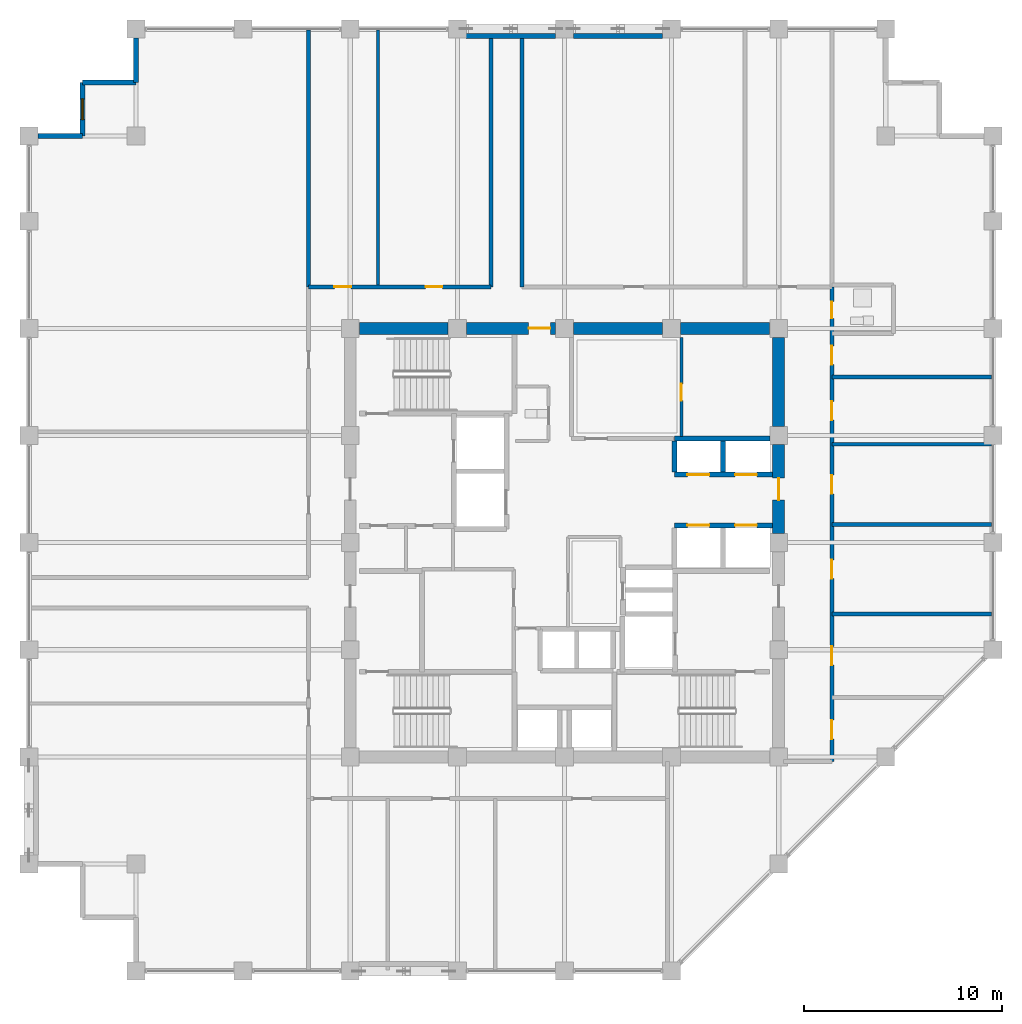
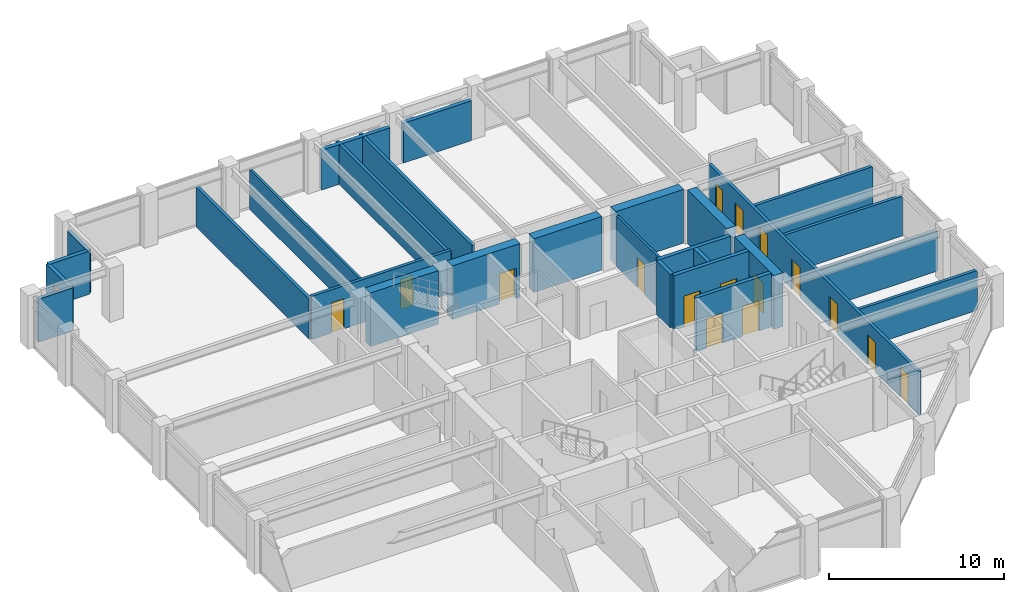
# One storey, part 29 of 32: 28 walls, 16 doors, 1 window, 17 openings.
"""IFC4 building model written with IfcOpenShell, lengths in metres."""

from ifc_helpers import new_model, si_unit, direction, frame, frame_2d, origin, place, context, subcontext, project, spatial, rectangle, extrude, material, layer, layer_set, type_object, element, fill, save


model = new_model("IFC4")

# Units and contexts
model_context = context("Model", 3, precision=1e-05, world=origin(), true_north=direction((0.0, 1.0)))
body_context = subcontext(model_context, "Body", "Model", "MODEL_VIEW")
ifc_project = project(units=[si_unit("LENGTHUNIT", "METRE"), si_unit("AREAUNIT", "SQUARE_METRE"), si_unit("VOLUMEUNIT", "CUBIC_METRE"), si_unit("PLANEANGLEUNIT", "RADIAN"), si_unit("MASSUNIT", "GRAM", prefix="KILO")], contexts=[model_context])

# Site, building, storey
site_placement = place(None, origin())
site = spatial("IfcSite", under=ifc_project, at=site_placement, CompositionType="ELEMENT")
building_placement = place(site_placement, origin())
building = spatial("IfcBuilding", under=site, at=building_placement, Name="Surkhivell Harbour Commons", CompositionType="ELEMENT")
storey_placement = place(building_placement, frame((0.0, 0.0, 208.5)))
storey = spatial("IfcBuildingStorey", under=building, at=storey_placement, Name="L54", CompositionType="ELEMENT", Elevation=208.5)

# Wall
ifc_material_1 = material(Name="Concrete C60/75", Category="concrete")
ifc_layer_1 = layer(ifc_material_1, 0.60009765625)
ifc_layer_set_1 = layer_set([ifc_layer_1], Name="Concrete C60/75")
wall_type_1 = type_object("IfcWallType", Name="WAL-CORE-600", PredefinedType="SHEAR", material=ifc_layer_set_1)
wall_1_placement = place(storey_placement, frame((-10.340087890625, 10.800048828125, 0.0), z_axis=(0.0, 0.0, 1.0), x_axis=(1.0, 0.0, 0.0)))
element("IfcWall", 1, at=wall_1_placement, inside=storey, type_object=wall_type_1, Name="L54 Core Shear Wall North 1", PredefinedType="SHEAR", context=body_context, shape_type="SweptSolid", body=[
    extrude(rectangle(XDim=4.47998046875, YDim=0.60009765625, at=frame_2d((2.239990234375, 0.0))), origin(), (0.0, 0.0, 1.0), 3.75),
])

# Wall, opening, door
wall_2_placement = place(storey_placement, frame((-4.93994140625, 10.800048828125, 0.0), z_axis=(0.0, 0.0, 1.0), x_axis=(1.0, 0.0, 0.0)))
wall_2 = element("IfcWall", 2, at=wall_2_placement, inside=storey, type_object=wall_type_1, Name="L54 Core Shear Wall North 2", PredefinedType="SHEAR", context=body_context, shape_type="SweptSolid", body=[
    extrude(rectangle(XDim=4.47998046875, YDim=0.60009765625, at=frame_2d((2.239990234375, 0.0))), origin(), (0.0, 0.0, 1.0), 3.75),
])
opening_1_placement = place(wall_2_placement, frame((3.1298828125, 0.0, 0.0)))
opening_1 = element("IfcOpeningElement", 3, at=opening_1_placement, cuts=wall_2, Name="Opening ID-2", PredefinedType="OPENING", context=body_context, shape_type="SweptSolid", body=[
    extrude(rectangle(XDim=1.10009765625, YDim=2.10009765625, at=frame_2d((0.550048828125, 1.050048828125))), frame((0.0, 0.31005859375, 0.0), z_axis=(0.0, -1.0, 0.0), x_axis=(1.0, 0.0, 0.0)), (0.0, 0.0, 1.0), 0.6201171875),
])
ifc_material_2 = material(Name="Hardwood-veneered fire-rated door leaf", Category="wood")
door_type_1 = type_object("IfcDoorType", Name="DOR-FD60-1100", OperationType="NOTDEFINED", PredefinedType="DOOR", material=ifc_material_2)
door_1_placement = place(opening_1_placement, origin())
door_1 = element("IfcDoor", 4, at=door_1_placement, inside=storey, type_object=door_type_1, Name="L54 Central Core Lift Hall North Corridor Door", OperationType="SINGLE_SWING_LEFT", OverallHeight=2.10009765625, OverallWidth=1.10009765625, PredefinedType="DOOR", context=body_context, shape_type="SweptSolid", body=[
    extrude(rectangle(XDim=1.10009765625, YDim=2.10009765625, at=frame_2d((0.550048828125, 1.050048828125))), frame((0.0, 0.02490234375, 0.0), z_axis=(0.0, -1.0, 0.0), x_axis=(1.0, 0.0, 0.0)), (0.0, 0.0, 1.0), 0.050048828125),
])
fill(opening_1, door_1)

# Wall
wall_3_placement = place(storey_placement, frame((0.4599609375, 10.800048828125, 0.0), z_axis=(0.0, 0.0, 1.0), x_axis=(1.0, 0.0, 0.0)))
element("IfcWall", 5, at=wall_3_placement, inside=storey, type_object=wall_type_1, Name="L54 Core Shear Wall North 3", PredefinedType="SHEAR", context=body_context, shape_type="SweptSolid", body=[
    extrude(rectangle(XDim=4.47998046875, YDim=0.60009765625, at=frame_2d((2.239990234375, 0.0))), origin(), (0.0, 0.0, 1.0), 3.75),
])

# Wall, opening, door
wall_4_placement = place(storey_placement, frame((10.800048828125, 0.4599609375, 0.0), z_axis=(0.0, 0.0, 1.0), x_axis=(0.0, 1.0, 0.0)))
wall_4 = element("IfcWall", 6, at=wall_4_placement, inside=storey, type_object=wall_type_1, Name="L54 Core Shear Wall East 3", PredefinedType="SHEAR", context=body_context, shape_type="SweptSolid", body=[
    extrude(rectangle(XDim=4.47998046875, YDim=0.60009765625, at=frame_2d((2.239990234375, 0.0))), origin(), (0.0, 0.0, 1.0), 3.75),
])
opening_2_placement = place(wall_4_placement, frame((1.68994140625, 0.0, 0.0)))
opening_2 = element("IfcOpeningElement", 7, at=opening_2_placement, cuts=wall_4, Name="Opening ID-2", PredefinedType="OPENING", context=body_context, shape_type="SweptSolid", body=[
    extrude(rectangle(XDim=1.10009765625, YDim=2.10009765625, at=frame_2d((0.550048828125, 1.050048828125))), frame((0.0, 0.31005859375, 0.0), z_axis=(0.0, -1.0, 0.0), x_axis=(1.0, 0.0, 0.0)), (0.0, 0.0, 1.0), 0.6201171875),
])
door_2_placement = place(opening_2_placement, origin())
door_2 = element("IfcDoor", 8, at=door_2_placement, inside=storey, type_object=door_type_1, Name="L54 Mid-Rise Lobby East Door", OperationType="SINGLE_SWING_LEFT", OverallHeight=2.10009765625, OverallWidth=1.10009765625, PredefinedType="DOOR", context=body_context, shape_type="SweptSolid", body=[
    extrude(rectangle(XDim=1.10009765625, YDim=2.10009765625, at=frame_2d((0.550048828125, 1.050048828125))), frame((0.0, 0.02490234375, 0.0), z_axis=(0.0, -1.0, 0.0), x_axis=(1.0, 0.0, 0.0)), (0.0, 0.0, 1.0), 0.050048828125),
])
fill(opening_2, door_2)

# Walls
for number, where, z_axis, x_axis, name in (
    (9, (5.860107421875, 10.800048828125, 0.0), (0.0, 0.0, 1.0), (1.0, 0.0, 0.0), "L54 Core Shear Wall North 4"),
    (10, (10.800048828125, 5.860107421875, 0.0), (0.0, 0.0, 1.0), (0.0, 1.0, 0.0), "L54 Core Shear Wall East 4"),
):
    element("IfcWall", number, at=place(storey_placement, frame(where, z_axis=z_axis, x_axis=x_axis)), inside=storey, type_object=wall_type_1, Name=name, PredefinedType="SHEAR", context=body_context, shape_type="SweptSolid", body=[
        extrude(rectangle(XDim=4.47998046875, YDim=0.60009765625, at=frame_2d((2.239990234375, 0.0))), origin(), (0.0, 0.0, 1.0), 3.75),
    ])
ifc_material_3 = material(Name="Pale-metal insulated precast concrete C45/55", Category="concrete")
ifc_layer_2 = layer(ifc_material_3, 0.260009765625)
ifc_layer_set_2 = layer_set([ifc_layer_2], Name="Pale-metal insulated precast concrete C45/55")
wall_type_2 = type_object("IfcWallType", Name="WAL-EXT-MTL260", PredefinedType="STANDARD", material=ifc_layer_set_2)
for number, where, z_axis, x_axis, name in (
    (11, (-0.447998046875, 25.5400390625, 0.0), (0.0, 0.0, 1.0), (-1.0, 0.0, 0.0), "L54 Braced-Bay Insulated Spandrel Backing N"),
    (12, (4.951904296875, 25.5400390625, 0.0), (0.0, 0.0, 1.0), (-1.0, 0.0, 0.0), "L54 Braced-Bay Insulated Spandrel Backing N2"),
):
    element("IfcWall", number, at=place(storey_placement, frame(where, z_axis=z_axis, x_axis=x_axis)), inside=storey, type_object=wall_type_2, Name=name, PredefinedType="STANDARD", context=body_context, shape_type="SweptSolid", body=[
        extrude(rectangle(XDim=4.50390625, YDim=0.260009765625, at=frame_2d((2.251953125, 0.0))), origin(), (0.0, 0.0, 1.0), 2.780029296875),
    ])
wall_5_placement = place(storey_placement, frame((-21.60009765625, 25.451904296875, 0.0), z_axis=(0.0, 0.0, 1.0), x_axis=(0.0, -1.0, 0.0)))
element("IfcWall", 13, at=wall_5_placement, inside=storey, type_object=wall_type_2, Name="L54 Serrated Corner Facade Wall 08", PredefinedType="STANDARD", context=body_context, shape_type="SweptSolid", body=[
    extrude(rectangle(XDim=2.251953125, YDim=0.260009765625, at=frame_2d((1.1259765625, 0.0))), origin(), (0.0, 0.0, 1.0), 3.006103515625),
])
wall_6_placement = place(storey_placement, frame((-21.60009765625, 23.199951171875, 0.0), z_axis=(0.0, 0.0, 1.0), x_axis=(-1.0, 0.0, 0.0)))
element("IfcWall", 14, at=wall_6_placement, inside=storey, type_object=wall_type_2, Name="L54 Serrated Corner Facade Wall 09", PredefinedType="STANDARD", context=body_context, shape_type="SweptSolid", body=[
    extrude(rectangle(XDim=2.699951171875, YDim=0.260009765625, at=frame_2d((1.35009765625, 0.0))), origin(), (0.0, 0.0, 1.0), 3.006103515625),
])

# Wall, opening, window
wall_7_placement = place(storey_placement, frame((-24.300048828125, 23.199951171875, 0.0), z_axis=(0.0, 0.0, 1.0), x_axis=(0.0, -1.0, 0.0)))
wall_7 = element("IfcWall", 15, at=wall_7_placement, inside=storey, type_object=wall_type_2, Name="L54 Serrated Corner Facade Wall 10", PredefinedType="STANDARD", context=body_context, shape_type="SweptSolid", body=[
    extrude(rectangle(XDim=2.699951171875, YDim=0.260009765625, at=frame_2d((1.35009765625, 0.0))), origin(), (0.0, 0.0, 1.0), 3.006103515625),
])
opening_3_placement = place(wall_7_placement, frame((0.824951171875, 0.0, 0.64990234375)))
opening_3 = element("IfcOpeningElement", 16, at=opening_3_placement, cuts=wall_7, Name="Opening WN-11", PredefinedType="OPENING", context=body_context, shape_type="SweptSolid", body=[
    extrude(rectangle(XDim=1.050048828125, YDim=1.5, at=frame_2d((0.52490234375, 0.75))), frame((0.0, 0.139892578125, 0.0), z_axis=(0.0, -1.0, 0.0), x_axis=(1.0, 0.0, 0.0)), (0.0, 0.0, 1.0), 0.280029296875),
])
ifc_material_4 = material(Name="Thermal-break aluminium frame and double low-E glazing", Category="aluminium")
window_type = type_object("IfcWindowType", Name="WIN-SER-1050x1500", PartitioningType="SINGLE_PANEL", PredefinedType="WINDOW", material=ifc_material_4)
window_placement = place(opening_3_placement, origin())
window = element("IfcWindow", 17, at=window_placement, inside=storey, type_object=window_type, Name="L54 Serrated Alcove Window 10", OverallHeight=1.5, OverallWidth=1.050048828125, PartitioningType="SINGLE_PANEL", PredefinedType="WINDOW", context=body_context, shape_type="SweptSolid", body=[
    extrude(rectangle(XDim=1.050048828125, YDim=1.5, at=frame_2d((0.52490234375, 0.75))), frame((0.0, 0.030029296875, 0.0), z_axis=(0.0, -1.0, 0.0), x_axis=(1.0, 0.0, 0.0)), (0.0, 0.0, 1.0), 0.06005859375),
])
fill(opening_3, window)

# Wall
wall_8_placement = place(storey_placement, frame((-24.300048828125, 20.5, 0.0), z_axis=(0.0, 0.0, 1.0), x_axis=(-1.0, 0.0, 0.0)))
element("IfcWall", 18, at=wall_8_placement, inside=storey, type_object=wall_type_2, Name="L54 Serrated Corner Facade Wall 11", PredefinedType="STANDARD", context=body_context, shape_type="SweptSolid", body=[
    extrude(rectangle(XDim=2.251953125, YDim=0.260009765625, at=frame_2d((1.1259765625, 0.0))), origin(), (0.0, 0.0, 1.0), 3.006103515625),
])

# Wall, opening, door
ifc_material_5 = material(Name="Twin-stud acoustic fireboard partition", Category="other")
ifc_layer_3 = layer(ifc_material_5, 0.14990234375)
ifc_layer_set_3 = layer_set([ifc_layer_3], Name="Twin-stud acoustic fireboard partition")
wall_type_3 = type_object("IfcWallType", Name="WAL-INT-150", PredefinedType="PARTITIONING", material=ifc_layer_set_3)
wall_9_placement = place(storey_placement, frame((5.89990234375, 5.360107421875, 0.0), z_axis=(0.0, 0.0, 1.0), x_axis=(0.0, 1.0, 0.0)))
wall_9 = element("IfcWall", 19, at=wall_9_placement, inside=storey, type_object=wall_type_3, Name="L54 Study Pod Wall 1", PredefinedType="PARTITIONING", context=body_context, shape_type="SweptSolid", body=[
    extrude(rectangle(XDim=4.97998046875, YDim=0.14990234375, at=frame_2d((2.489990234375, 0.0))), origin(), (0.0, 0.0, 1.0), 3.570068359375),
])
opening_4_placement = place(wall_9_placement, frame((1.800048828125, 0.0, 0.0)))
opening_4 = element("IfcOpeningElement", 20, at=opening_4_placement, cuts=wall_9, Name="Opening ID-6", PredefinedType="OPENING", context=body_context, shape_type="SweptSolid", body=[
    extrude(rectangle(XDim=0.85009765625, YDim=2.10009765625, at=frame_2d((0.425048828125, 1.050048828125))), frame((0.0, 0.0849609375, 0.0), z_axis=(0.0, -1.0, 0.0), x_axis=(1.0, 0.0, 0.0)), (0.0, 0.0, 1.0), 0.169921875),
])
door_type_2 = type_object("IfcDoorType", Name="DOR-FD30-850", OperationType="NOTDEFINED", PredefinedType="DOOR", material=ifc_material_2)
door_3_placement = place(opening_4_placement, origin())
door_3 = element("IfcDoor", 21, at=door_3_placement, inside=storey, type_object=door_type_2, Name="L54 Core Music Door", OperationType="SINGLE_SWING_RIGHT", OverallHeight=2.10009765625, OverallWidth=0.85009765625, PredefinedType="DOOR", context=body_context, shape_type="SweptSolid", body=[
    extrude(rectangle(XDim=0.85009765625, YDim=2.10009765625, at=frame_2d((0.425048828125, 1.050048828125))), frame((0.0, 0.02490234375, 0.0), z_axis=(0.0, -1.0, 0.0), x_axis=(1.0, 0.0, 0.0)), (0.0, 0.0, 1.0), 0.050048828125),
])
fill(opening_4, door_3)

# Walls
wall_10_placement = place(storey_placement, frame((-9.39990234375, 12.89990234375, 0.0), z_axis=(0.0, 0.0, 1.0), x_axis=(0.0, 1.0, 0.0)))
element("IfcWall", 22, at=wall_10_placement, inside=storey, type_object=wall_type_3, Name="L54 North-West Partition P1", PredefinedType="PARTITIONING", context=body_context, shape_type="SweptSolid", body=[
    extrude(rectangle(XDim=12.940185546875, YDim=0.14990234375, at=frame_2d((6.47021484375, 0.0))), origin(), (0.0, 0.0, 1.0), 2.780029296875),
])
ifc_material_6 = material(Name="Autoclaved aerated concrete blockwork and fire plaster", Category="masonry")
ifc_layer_4 = layer(ifc_material_6, 0.199951171875)
ifc_layer_set_4 = layer_set([ifc_layer_4], Name="Autoclaved aerated concrete blockwork and fire plaster")
wall_type_4 = type_object("IfcWallType", Name="WAL-INT-200", PredefinedType="PARTITIONING", material=ifc_layer_set_4)
wall_11_placement = place(storey_placement, frame((-12.89990234375, 12.89990234375, 0.0), z_axis=(0.0, 0.0, 1.0), x_axis=(0.0, 1.0, 0.0)))
element("IfcWall", 23, at=wall_11_placement, inside=storey, type_object=wall_type_4, Name="L54 North-West Corner Wall", PredefinedType="PARTITIONING", context=body_context, shape_type="SweptSolid", body=[
    extrude(rectangle(XDim=12.940185546875, YDim=0.199951171875, at=frame_2d((6.47021484375, 0.0))), origin(), (0.0, 0.0, 1.0), 2.780029296875),
])

# Wall, openings, doors
wall_12_placement = place(storey_placement, frame((13.47998046875, -11.0400390625, 0.0), z_axis=(0.0, 0.0, 1.0), x_axis=(0.0, 1.0, 0.0)))
wall_12 = element("IfcWall", 24, at=wall_12_placement, inside=storey, type_object=wall_type_4, Name="L54 Corridor East Wall", PredefinedType="PARTITIONING", context=body_context, shape_type="SweptSolid", body=[
    extrude(rectangle(XDim=23.93994140625, YDim=0.199951171875, at=frame_2d((11.969970703125, 0.0))), origin(), (0.0, 0.0, 1.0), 3.006103515625),
])
opening_5_placement = place(wall_12_placement, frame((1.139892578125, 0.0, 0.0)))
opening_5 = element("IfcOpeningElement", 25, at=opening_5_placement, cuts=wall_12, Name="Opening ID-4", PredefinedType="OPENING", context=body_context, shape_type="SweptSolid", body=[
    extrude(rectangle(XDim=0.949951171875, YDim=2.10009765625, at=frame_2d((0.47509765625, 1.050048828125))), frame((0.0, 0.10986328125, 0.0), z_axis=(0.0, -1.0, 0.0), x_axis=(1.0, 0.0, 0.0)), (0.0, 0.0, 1.0), 0.219970703125),
])
opening_6_placement = place(wall_12_placement, frame((22.344970703125, 0.0, 0.0)))
opening_6 = element("IfcOpeningElement", 26, at=opening_6_placement, cuts=wall_12, Name="Opening ID-6", PredefinedType="OPENING", context=body_context, shape_type="SweptSolid", body=[
    extrude(rectangle(XDim=0.85009765625, YDim=2.10009765625, at=frame_2d((0.425048828125, 1.050048828125))), frame((0.0, 0.10986328125, 0.0), z_axis=(0.0, -1.0, 0.0), x_axis=(1.0, 0.0, 0.0)), (0.0, 0.0, 1.0), 0.219970703125),
])
opening_7_placement = place(wall_12_placement, frame((20.010009765625, 0.0, 0.0)))
opening_7 = element("IfcOpeningElement", 27, at=opening_7_placement, cuts=wall_12, Name="Opening ID-4", PredefinedType="OPENING", context=body_context, shape_type="SweptSolid", body=[
    extrude(rectangle(XDim=0.949951171875, YDim=2.10009765625, at=frame_2d((0.47509765625, 1.050048828125))), frame((0.0, 0.10986328125, 0.0), z_axis=(0.0, -1.0, 0.0), x_axis=(1.0, 0.0, 0.0)), (0.0, 0.0, 1.0), 0.219970703125),
])
opening_8_placement = place(wall_12_placement, frame((4.860107421875, 0.0, 0.0)))
opening_8 = element("IfcOpeningElement", 28, at=opening_8_placement, cuts=wall_12, Name="Opening ID-4", PredefinedType="OPENING", context=body_context, shape_type="SweptSolid", body=[
    extrude(rectangle(XDim=0.949951171875, YDim=2.10009765625, at=frame_2d((0.47509765625, 1.050048828125))), frame((0.0, 0.10986328125, 0.0), z_axis=(0.0, -1.0, 0.0), x_axis=(1.0, 0.0, 0.0)), (0.0, 0.0, 1.0), 0.219970703125),
])
opening_9_placement = place(wall_12_placement, frame((9.219970703125, 0.0, 0.0)))
opening_9 = element("IfcOpeningElement", 29, at=opening_9_placement, cuts=wall_12, Name="Opening ID-4", PredefinedType="OPENING", context=body_context, shape_type="SweptSolid", body=[
    extrude(rectangle(XDim=0.949951171875, YDim=2.10009765625, at=frame_2d((0.47509765625, 1.050048828125))), frame((0.0, 0.10986328125, 0.0), z_axis=(0.0, -1.0, 0.0), x_axis=(1.0, 0.0, 0.0)), (0.0, 0.0, 1.0), 0.219970703125),
])
opening_10_placement = place(wall_12_placement, frame((13.5, 0.0, 0.0)))
opening_10 = element("IfcOpeningElement", 30, at=opening_10_placement, cuts=wall_12, Name="Opening ID-4", PredefinedType="OPENING", context=body_context, shape_type="SweptSolid", body=[
    extrude(rectangle(XDim=0.949951171875, YDim=2.10009765625, at=frame_2d((0.47509765625, 1.050048828125))), frame((0.0, 0.10986328125, 0.0), z_axis=(0.0, -1.0, 0.0), x_axis=(1.0, 0.0, 0.0)), (0.0, 0.0, 1.0), 0.219970703125),
])
opening_11_placement = place(wall_12_placement, frame((17.215087890625, 0.0, 0.0)))
opening_11 = element("IfcOpeningElement", 31, at=opening_11_placement, cuts=wall_12, Name="Opening ID-4", PredefinedType="OPENING", context=body_context, shape_type="SweptSolid", body=[
    extrude(rectangle(XDim=0.949951171875, YDim=2.10009765625, at=frame_2d((0.47509765625, 1.050048828125))), frame((0.0, 0.10986328125, 0.0), z_axis=(0.0, -1.0, 0.0), x_axis=(1.0, 0.0, 0.0)), (0.0, 0.0, 1.0), 0.219970703125),
])
door_4_placement = place(opening_6_placement, origin())
door_4 = element("IfcDoor", 32, at=door_4_placement, inside=storey, type_object=door_type_2, Name="L54 Communal Shower Bathroom East Door", OperationType="SINGLE_SWING_RIGHT", OverallHeight=2.10009765625, OverallWidth=0.85009765625, PredefinedType="DOOR", context=body_context, shape_type="SweptSolid", body=[
    extrude(rectangle(XDim=0.85009765625, YDim=2.10009765625, at=frame_2d((0.425048828125, 1.050048828125))), frame((0.0, 0.02490234375, 0.0), z_axis=(0.0, -1.0, 0.0), x_axis=(1.0, 0.0, 0.0)), (0.0, 0.0, 1.0), 0.050048828125),
])
fill(opening_6, door_4)
door_type_3 = type_object("IfcDoorType", Name="DOR-FD60-950", OperationType="NOTDEFINED", PredefinedType="DOOR", material=ifc_material_2)
door_5_placement = place(opening_5_placement, origin())
door_5 = element("IfcDoor", 33, at=door_5_placement, inside=storey, type_object=door_type_3, Name="L54 Shared Communal Kitchen East Door", OperationType="SINGLE_SWING_LEFT", OverallHeight=2.10009765625, OverallWidth=0.949951171875, PredefinedType="DOOR", context=body_context, shape_type="SweptSolid", body=[
    extrude(rectangle(XDim=0.949951171875, YDim=2.10009765625, at=frame_2d((0.47509765625, 1.050048828125))), frame((0.0, 0.02490234375, 0.0), z_axis=(0.0, -1.0, 0.0), x_axis=(1.0, 0.0, 0.0)), (0.0, 0.0, 1.0), 0.050048828125),
])
fill(opening_5, door_5)
door_6_placement = place(opening_7_placement, origin())
door_6 = element("IfcDoor", 34, at=door_6_placement, inside=storey, type_object=door_type_3, Name="L54 Academic Reading Commons East Door", OperationType="SINGLE_SWING_LEFT", OverallHeight=2.10009765625, OverallWidth=0.949951171875, PredefinedType="DOOR", context=body_context, shape_type="SweptSolid", body=[
    extrude(rectangle(XDim=0.949951171875, YDim=2.10009765625, at=frame_2d((0.47509765625, 1.050048828125))), frame((0.0, 0.02490234375, 0.0), z_axis=(0.0, -1.0, 0.0), x_axis=(1.0, 0.0, 0.0)), (0.0, 0.0, 1.0), 0.050048828125),
])
fill(opening_7, door_6)
door_7_placement = place(opening_8_placement, origin())
door_7 = element("IfcDoor", 35, at=door_7_placement, inside=storey, type_object=door_type_3, Name="L54 Hostel Cluster Bedroom 1 East Door", OperationType="SINGLE_SWING_RIGHT", OverallHeight=2.10009765625, OverallWidth=0.949951171875, PredefinedType="DOOR", context=body_context, shape_type="SweptSolid", body=[
    extrude(rectangle(XDim=0.949951171875, YDim=2.10009765625, at=frame_2d((0.47509765625, 1.050048828125))), frame((0.0, 0.02490234375, 0.0), z_axis=(0.0, -1.0, 0.0), x_axis=(1.0, 0.0, 0.0)), (0.0, 0.0, 1.0), 0.050048828125),
])
fill(opening_8, door_7)
door_8_placement = place(opening_9_placement, origin())
door_8 = element("IfcDoor", 36, at=door_8_placement, inside=storey, type_object=door_type_3, Name="L54 Co-Living Dormitory Bedroom 2 East Door", OperationType="SINGLE_SWING_LEFT", OverallHeight=2.10009765625, OverallWidth=0.949951171875, PredefinedType="DOOR", context=body_context, shape_type="SweptSolid", body=[
    extrude(rectangle(XDim=0.949951171875, YDim=2.10009765625, at=frame_2d((0.47509765625, 1.050048828125))), frame((0.0, 0.02490234375, 0.0), z_axis=(0.0, -1.0, 0.0), x_axis=(1.0, 0.0, 0.0)), (0.0, 0.0, 1.0), 0.050048828125),
])
fill(opening_9, door_8)
door_9_placement = place(opening_10_placement, origin())
door_9 = element("IfcDoor", 37, at=door_9_placement, inside=storey, type_object=door_type_3, Name="L54 Hostel Cluster Bedroom 3 East Door", OperationType="SINGLE_SWING_RIGHT", OverallHeight=2.10009765625, OverallWidth=0.949951171875, PredefinedType="DOOR", context=body_context, shape_type="SweptSolid", body=[
    extrude(rectangle(XDim=0.949951171875, YDim=2.10009765625, at=frame_2d((0.47509765625, 1.050048828125))), frame((0.0, 0.02490234375, 0.0), z_axis=(0.0, -1.0, 0.0), x_axis=(1.0, 0.0, 0.0)), (0.0, 0.0, 1.0), 0.050048828125),
])
fill(opening_10, door_9)
door_10_placement = place(opening_11_placement, origin())
door_10 = element("IfcDoor", 38, at=door_10_placement, inside=storey, type_object=door_type_3, Name="L54 Co-Living Dormitory Bedroom 4 East Door", OperationType="SINGLE_SWING_LEFT", OverallHeight=2.10009765625, OverallWidth=0.949951171875, PredefinedType="DOOR", context=body_context, shape_type="SweptSolid", body=[
    extrude(rectangle(XDim=0.949951171875, YDim=2.10009765625, at=frame_2d((0.47509765625, 1.050048828125))), frame((0.0, 0.02490234375, 0.0), z_axis=(0.0, -1.0, 0.0), x_axis=(1.0, 0.0, 0.0)), (0.0, 0.0, 1.0), 0.050048828125),
])
fill(opening_11, door_10)

wall_13_placement = place(storey_placement, frame((-12.89990234375, 12.89990234375, 0.0), z_axis=(0.0, 0.0, 1.0), x_axis=(1.0, 0.0, 0.0)))
wall_13 = element("IfcWall", 39, at=wall_13_placement, inside=storey, type_object=wall_type_4, Name="L54 Corridor North-West Wall", PredefinedType="PARTITIONING", context=body_context, shape_type="SweptSolid", body=[
    extrude(rectangle(XDim=9.199951171875, YDim=0.199951171875, at=frame_2d((4.60009765625, 0.0))), origin(), (0.0, 0.0, 1.0), 3.006103515625),
])
opening_12_placement = place(wall_13_placement, frame((1.300048828125, 0.0, 0.0)))
opening_12 = element("IfcOpeningElement", 40, at=opening_12_placement, cuts=wall_13, Name="Opening ID-6", PredefinedType="OPENING", context=body_context, shape_type="SweptSolid", body=[
    extrude(rectangle(XDim=0.85009765625, YDim=2.10009765625, at=frame_2d((0.425048828125, 1.050048828125))), frame((0.0, 0.10986328125, 0.0), z_axis=(0.0, -1.0, 0.0), x_axis=(1.0, 0.0, 0.0)), (0.0, 0.0, 1.0), 0.219970703125),
])
opening_13_placement = place(wall_13_placement, frame((5.89990234375, 0.0, 0.0)))
opening_13 = element("IfcOpeningElement", 41, at=opening_13_placement, cuts=wall_13, Name="Opening ID-6", PredefinedType="OPENING", context=body_context, shape_type="SweptSolid", body=[
    extrude(rectangle(XDim=0.85009765625, YDim=2.10009765625, at=frame_2d((0.425048828125, 1.050048828125))), frame((0.0, 0.10986328125, 0.0), z_axis=(0.0, -1.0, 0.0), x_axis=(1.0, 0.0, 0.0)), (0.0, 0.0, 1.0), 0.219970703125),
])
door_11_placement = place(opening_12_placement, origin())
door_11 = element("IfcDoor", 42, at=door_11_placement, inside=storey, type_object=door_type_2, Name="L54 Harbour Reading Library North-West Door", OperationType="SINGLE_SWING_LEFT", OverallHeight=2.10009765625, OverallWidth=0.85009765625, PredefinedType="DOOR", context=body_context, shape_type="SweptSolid", body=[
    extrude(rectangle(XDim=0.85009765625, YDim=2.10009765625, at=frame_2d((0.425048828125, 1.050048828125))), frame((0.0, 0.02490234375, 0.0), z_axis=(0.0, -1.0, 0.0), x_axis=(1.0, 0.0, 0.0)), (0.0, 0.0, 1.0), 0.050048828125),
])
fill(opening_12, door_11)
door_12_placement = place(opening_13_placement, origin())
door_12 = element("IfcDoor", 43, at=door_12_placement, inside=storey, type_object=door_type_2, Name="L54 Communal Dining Hall North-West Door", OperationType="SINGLE_SWING_RIGHT", OverallHeight=2.10009765625, OverallWidth=0.85009765625, PredefinedType="DOOR", context=body_context, shape_type="SweptSolid", body=[
    extrude(rectangle(XDim=0.85009765625, YDim=2.10009765625, at=frame_2d((0.425048828125, 1.050048828125))), frame((0.0, 0.02490234375, 0.0), z_axis=(0.0, -1.0, 0.0), x_axis=(1.0, 0.0, 0.0)), (0.0, 0.0, 1.0), 0.050048828125),
])
fill(opening_13, door_12)

# Walls
for number, where, z_axis, x_axis, name in (
    (44, (-2.14990234375, 12.89990234375, 0.0), (0.0, 0.0, 1.0), (0.0, 1.0, 0.0), "L54 North Spur East Wall"),
    (45, (-3.699951171875, 12.89990234375, 0.0), (0.0, 0.0, 1.0), (0.0, 1.0, 0.0), "L54 North Spur West Wall"),
):
    element("IfcWall", number, at=place(storey_placement, frame(where, z_axis=z_axis, x_axis=x_axis)), inside=storey, type_object=wall_type_4, Name=name, PredefinedType="PARTITIONING", context=body_context, shape_type="SweptSolid", body=[
        extrude(rectangle(XDim=12.940185546875, YDim=0.199951171875, at=frame_2d((6.47021484375, 0.0))), origin(), (0.0, 0.0, 1.0), 2.780029296875),
    ])
for number, where, z_axis, x_axis, name in (
    (46, (13.47998046875, -3.60009765625, 0.0), (0.0, 0.0, 1.0), (1.0, 0.0, 0.0), "L54 East Partition BDP1"),
    (47, (13.47998046875, 0.919921875, 0.0), (0.0, 0.0, 1.0), (1.0, 0.0, 0.0), "L54 East Partition BDP2"),
    (48, (13.47998046875, 4.9599609375, 0.0), (0.0, 0.0, 1.0), (1.0, 0.0, 0.0), "L54 East Partition BDP3"),
    (49, (13.47998046875, 8.35009765625, 0.0), (0.0, 0.0, 1.0), (1.0, 0.0, 0.0), "L54 East Partition PTOP"),
):
    element("IfcWall", number, at=place(storey_placement, frame(where, z_axis=z_axis, x_axis=x_axis)), inside=storey, type_object=wall_type_4, Name=name, PredefinedType="PARTITIONING", context=body_context, shape_type="SweptSolid", body=[
        extrude(rectangle(XDim=8.06005859375, YDim=0.199951171875, at=frame_2d((4.030029296875, 0.0))), origin(), (0.0, 0.0, 1.0), 2.780029296875),
    ])
ifc_material_7 = material(Name="Concrete C50/60", Category="concrete")
ifc_layer_5 = layer(ifc_material_7, 0.25)
ifc_layer_set_5 = layer_set([ifc_layer_5], Name="Concrete C50/60")
wall_type_5 = type_object("IfcWallType", Name="WAL-SHAFT-250", PredefinedType="SHEAR", material=ifc_layer_set_5)
for number, where, z_axis, x_axis, name in (
    (50, (5.550048828125, 3.550048828125, 0.0), (0.0, 0.0, 1.0), (0.0, 1.0, 0.0), "L54 Mid-Rise Shaft Side Wall N"),
    (51, (8.0, 3.550048828125, 0.0), (0.0, 0.0, 1.0), (0.0, 1.0, 0.0), "L54 Mid-Rise Shaft Side Wall N"),
):
    element("IfcWall", number, at=place(storey_placement, frame(where, z_axis=z_axis, x_axis=x_axis)), inside=storey, type_object=wall_type_5, Name=name, PredefinedType="SHEAR", context=body_context, shape_type="SweptSolid", body=[
        extrude(rectangle(XDim=1.570068359375, YDim=0.25, at=frame_2d((0.78515625, 0.0))), origin(), (0.0, 0.0, 1.0), 3.75),
    ])

# Wall, openings, doors
wall_14_placement = place(storey_placement, frame((5.550048828125, 3.429931640625, 0.0), z_axis=(0.0, 0.0, 1.0), x_axis=(1.0, 0.0, 0.0)))
wall_14 = element("IfcWall", 52, at=wall_14_placement, inside=storey, type_object=wall_type_5, Name="L54 Mid-Rise North Front Shaft Wall", PredefinedType="SHEAR", context=body_context, shape_type="SweptSolid", body=[
    extrude(rectangle(XDim=4.949951171875, YDim=0.25, at=frame_2d((2.47509765625, 0.0))), origin(), (0.0, 0.0, 1.0), 3.75),
])
opening_14_placement = place(wall_14_placement, frame((0.64990234375, 0.0, 0.0)))
opening_14 = element("IfcOpeningElement", 53, at=opening_14_placement, cuts=wall_14, Name="Opening LD-1", PredefinedType="OPENING", context=body_context, shape_type="SweptSolid", body=[
    extrude(rectangle(XDim=1.10009765625, YDim=2.10009765625, at=frame_2d((0.550048828125, 1.050048828125))), frame((0.0, 0.135009765625, 0.0), z_axis=(0.0, -1.0, 0.0), x_axis=(1.0, 0.0, 0.0)), (0.0, 0.0, 1.0), 0.27001953125),
])
opening_15_placement = place(wall_14_placement, frame((3.050048828125, 0.0, 0.0)))
opening_15 = element("IfcOpeningElement", 54, at=opening_15_placement, cuts=wall_14, Name="Opening LD-1", PredefinedType="OPENING", context=body_context, shape_type="SweptSolid", body=[
    extrude(rectangle(XDim=1.10009765625, YDim=2.10009765625, at=frame_2d((0.550048828125, 1.050048828125))), frame((0.0, 0.135009765625, 0.0), z_axis=(0.0, -1.0, 0.0), x_axis=(1.0, 0.0, 0.0)), (0.0, 0.0, 1.0), 0.27001953125),
])
ifc_material_8 = material(Name="Brushed stainless steel S355", Category="steel")
door_type_4 = type_object("IfcDoorType", Name="DOR-LD-1100", OperationType="SLIDING_TO_LEFT", PredefinedType="DOOR", material=ifc_material_8)
door_13_placement = place(opening_14_placement, origin())
door_13 = element("IfcDoor", 55, at=door_13_placement, inside=storey, type_object=door_type_4, Name="L54 Lift Landing Door LD-PM1", OperationType="SLIDING_TO_RIGHT", OverallHeight=2.10009765625, OverallWidth=1.10009765625, PredefinedType="DOOR", context=body_context, shape_type="SweptSolid", body=[
    extrude(rectangle(XDim=1.10009765625, YDim=2.10009765625, at=frame_2d((0.550048828125, 1.050048828125))), frame((0.0, 0.02490234375, 0.0), z_axis=(0.0, -1.0, 0.0), x_axis=(1.0, 0.0, 0.0)), (0.0, 0.0, 1.0), 0.050048828125),
])
fill(opening_14, door_13)
door_14_placement = place(opening_15_placement, origin())
door_14 = element("IfcDoor", 56, at=door_14_placement, inside=storey, type_object=door_type_4, Name="L54 Lift Landing Door LD-PM2", OperationType="SLIDING_TO_RIGHT", OverallHeight=2.10009765625, OverallWidth=1.10009765625, PredefinedType="DOOR", context=body_context, shape_type="SweptSolid", body=[
    extrude(rectangle(XDim=1.10009765625, YDim=2.10009765625, at=frame_2d((0.550048828125, 1.050048828125))), frame((0.0, 0.02490234375, 0.0), z_axis=(0.0, -1.0, 0.0), x_axis=(1.0, 0.0, 0.0)), (0.0, 0.0, 1.0), 0.050048828125),
])
fill(opening_15, door_14)

# Wall
wall_15_placement = place(storey_placement, frame((5.550048828125, 5.239990234375, 0.0), z_axis=(0.0, 0.0, 1.0), x_axis=(1.0, 0.0, 0.0)))
element("IfcWall", 57, at=wall_15_placement, inside=storey, type_object=wall_type_5, Name="L54 Mid-Rise North Back Shaft Wall", PredefinedType="SHEAR", context=body_context, shape_type="SweptSolid", body=[
    extrude(rectangle(XDim=4.800048828125, YDim=0.25, at=frame_2d((2.39990234375, 0.0))), origin(), (0.0, 0.0, 1.0), 3.75),
])

# Wall, openings, doors
wall_16_placement = place(storey_placement, frame((5.550048828125, 0.8701171875, 0.0), z_axis=(0.0, 0.0, 1.0), x_axis=(1.0, 0.0, 0.0)))
wall_16 = element("IfcWall", 58, at=wall_16_placement, inside=storey, type_object=wall_type_5, Name="L54 Mid-Rise South Front Shaft Wall", PredefinedType="SHEAR", context=body_context, shape_type="SweptSolid", body=[
    extrude(rectangle(XDim=4.949951171875, YDim=0.25, at=frame_2d((2.47509765625, 0.0))), origin(), (0.0, 0.0, 1.0), 3.75),
])
opening_16_placement = place(wall_16_placement, frame((0.64990234375, 0.0, 0.0)))
opening_16 = element("IfcOpeningElement", 59, at=opening_16_placement, cuts=wall_16, Name="Opening LD-1", PredefinedType="OPENING", context=body_context, shape_type="SweptSolid", body=[
    extrude(rectangle(XDim=1.10009765625, YDim=2.10009765625, at=frame_2d((0.550048828125, 1.050048828125))), frame((0.0, 0.135009765625, 0.0), z_axis=(0.0, -1.0, 0.0), x_axis=(1.0, 0.0, 0.0)), (0.0, 0.0, 1.0), 0.27001953125),
])
opening_17_placement = place(wall_16_placement, frame((3.050048828125, 0.0, 0.0)))
opening_17 = element("IfcOpeningElement", 60, at=opening_17_placement, cuts=wall_16, Name="Opening LD-1", PredefinedType="OPENING", context=body_context, shape_type="SweptSolid", body=[
    extrude(rectangle(XDim=1.10009765625, YDim=2.10009765625, at=frame_2d((0.550048828125, 1.050048828125))), frame((0.0, 0.135009765625, 0.0), z_axis=(0.0, -1.0, 0.0), x_axis=(1.0, 0.0, 0.0)), (0.0, 0.0, 1.0), 0.27001953125),
])
door_15_placement = place(opening_16_placement, origin())
door_15 = element("IfcDoor", 61, at=door_15_placement, inside=storey, type_object=door_type_4, Name="L54 Lift Landing Door LD-PM3", OperationType="SLIDING_TO_RIGHT", OverallHeight=2.10009765625, OverallWidth=1.10009765625, PredefinedType="DOOR", context=body_context, shape_type="SweptSolid", body=[
    extrude(rectangle(XDim=1.10009765625, YDim=2.10009765625, at=frame_2d((0.550048828125, 1.050048828125))), frame((0.0, 0.02490234375, 0.0), z_axis=(0.0, -1.0, 0.0), x_axis=(1.0, 0.0, 0.0)), (0.0, 0.0, 1.0), 0.050048828125),
])
fill(opening_16, door_15)
door_16_placement = place(opening_17_placement, origin())
door_16 = element("IfcDoor", 62, at=door_16_placement, inside=storey, type_object=door_type_4, Name="L54 Lift Landing Door LD-PM4", OperationType="SLIDING_TO_RIGHT", OverallHeight=2.10009765625, OverallWidth=1.10009765625, PredefinedType="DOOR", context=body_context, shape_type="SweptSolid", body=[
    extrude(rectangle(XDim=1.10009765625, YDim=2.10009765625, at=frame_2d((0.550048828125, 1.050048828125))), frame((0.0, 0.02490234375, 0.0), z_axis=(0.0, -1.0, 0.0), x_axis=(1.0, 0.0, 0.0)), (0.0, 0.0, 1.0), 0.050048828125),
])
fill(opening_17, door_16)

save(model, "model.ifc")
